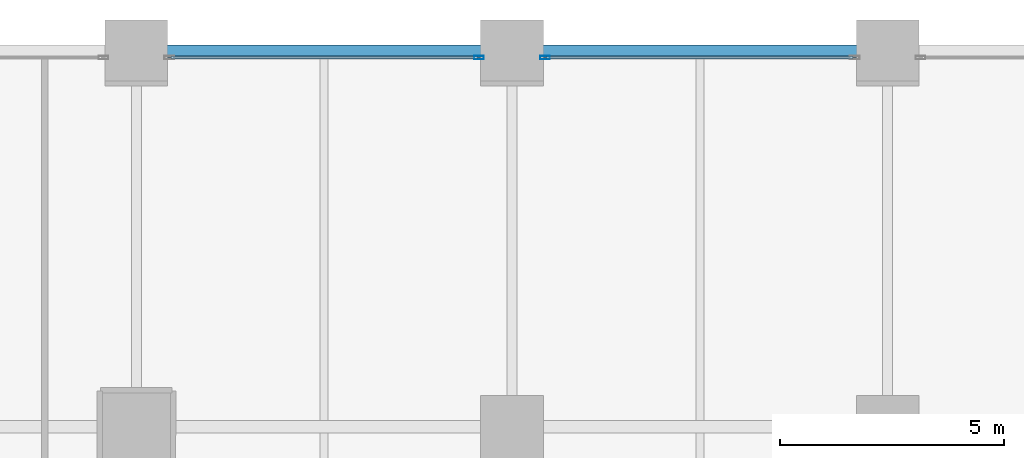
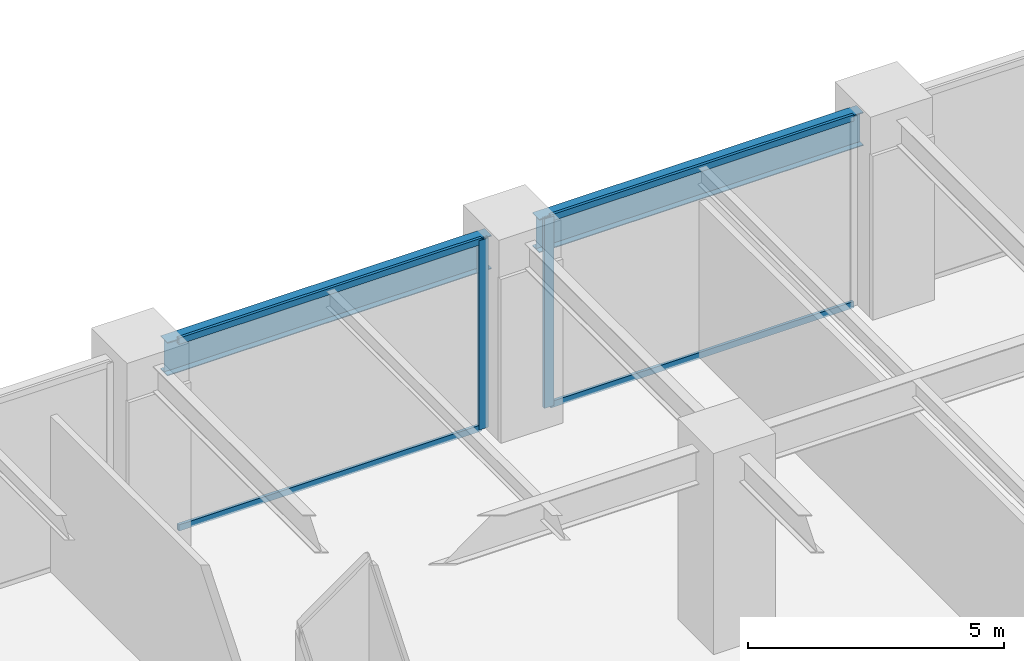
# One storey, part 13 of 24: 6 members, 2 beams, 2 elements without a shape of their own.
"""IFC4 building model written with IfcOpenShell, lengths in metres."""

from ifc_helpers import new_model, si_unit, direction, frame, origin, origin_2d, place, context, subcontext, project, spatial, hollow_rectangle, i_section, extrude, material, layer, layer_set, material_profile, profile_set, type_object, element, aggregate, save


model = new_model("IFC4")

# Units and contexts
model_context = context("Model", 3, precision=1e-05, world=origin(), true_north=direction((0.0, 1.0)))
body_context = subcontext(model_context, "Body", "Model", "MODEL_VIEW")
ifc_project = project(units=[si_unit("LENGTHUNIT", "METRE"), si_unit("AREAUNIT", "SQUARE_METRE"), si_unit("VOLUMEUNIT", "CUBIC_METRE"), si_unit("PLANEANGLEUNIT", "RADIAN"), si_unit("MASSUNIT", "GRAM", prefix="KILO")], contexts=[model_context])

# Site, building, storey
site_placement = place(None, origin())
site = spatial("IfcSite", under=ifc_project, at=site_placement, CompositionType="ELEMENT")
building_placement = place(site_placement, origin())
building = spatial("IfcBuilding", under=site, at=building_placement, Name="Nerrivon Quay Data Exchange", CompositionType="ELEMENT")
storey_placement = place(building_placement, frame((0.0, 0.0, 10.199951171875)))
storey = spatial("IfcBuildingStorey", under=building, at=storey_placement, Name="L02", CompositionType="ELEMENT", Elevation=10.199951171875)

# Beams
ifc_material_1 = material(Name="Steel Grade 350", Category="steel")
ifc_material_profile_1 = material_profile(ifc_material_1, i_section(OverallWidth=0.27490234375, OverallDepth=0.800048828125, WebThickness=0.010009765625, FlangeThickness=0.02001953125, at=origin_2d()), Name="800WB146")
ifc_profile_set_1 = profile_set([ifc_material_profile_1], Name="Steel Grade 350")
beam_type = type_object("IfcBeamType", Name="BM-G8-800WB146", PredefinedType="BEAM", material=ifc_profile_set_1)
beam_1_placement = place(storey_placement, frame((17.340087890625, 50.39990234375, 4.125), z_axis=(1.0, 0.0, 0.0), x_axis=(0.0, 1.0, 0.0)))
element("IfcBeam", 1, at=beam_1_placement, inside=storey, type_object=beam_type, Name="L02 EW Girder Y=50.4 (16.8..25.2)", PredefinedType="BEAM", context=body_context, shape_type="SweptSolid", body=[
    extrude(i_section(OverallWidth=0.27490234375, OverallDepth=0.800048828125, WebThickness=0.010009765625, FlangeThickness=0.02001953125, at=origin_2d()), origin(), (0.0, 0.0, 1.0), 7.31982421875),
])
beam_2_placement = place(storey_placement, frame((25.739990234375, 50.39990234375, 4.125), z_axis=(1.0, 0.0, 0.0), x_axis=(0.0, 1.0, 0.0)))
element("IfcBeam", 2, at=beam_2_placement, inside=storey, type_object=beam_type, Name="L02 EW Girder Y=50.4 (25.2..33.6)", PredefinedType="BEAM", context=body_context, shape_type="SweptSolid", body=[
    extrude(i_section(OverallWidth=0.27490234375, OverallDepth=0.800048828125, WebThickness=0.010009765625, FlangeThickness=0.02001953125, at=origin_2d()), origin(), (0.0, 0.0, 1.0), 7.320068359375),
])

# Curtain wall, member
ifc_material_2 = material(Name="Anodised aluminium 6063-T6", Category="aluminium")
ifc_layer = layer(ifc_material_2, 0.239990234375)
ifc_layer_set = layer_set([ifc_layer], Name="Anodised aluminium 6063-T6")
curtain_wall_type = type_object("IfcCurtainWallType", Name="CW-SYS-03", PredefinedType="NOTDEFINED", material=ifc_layer_set)
curtain_wall_1_placement = place(storey_placement, origin())
curtain_wall_1 = element("IfcCurtainWall", 3, at=curtain_wall_1_placement, inside=storey, type_object=curtain_wall_type, Name="L02 Unitised Curtain Wall 9", PredefinedType="NOTDEFINED")
ifc_material_profile_2 = material_profile(ifc_material_2, hollow_rectangle(XDim=0.074951171875, YDim=0.219970703125, WallThickness=0.00390625, at=origin_2d()), Name="ALU-MULL-220x75")
ifc_profile_set_2 = profile_set([ifc_material_profile_2], Name="Anodised aluminium 6063-T6")
member_type_1 = type_object("IfcMemberType", Name="CWM-220x75", PredefinedType="MULLION", material=ifc_profile_set_2)
member_1_placement = place(storey_placement, frame((24.46240234375, 50.260009765625, 0.0), z_axis=(0.0, 0.0, 1.0), x_axis=(0.0, 1.0, 0.0)))
member_1 = element("IfcMember", 4, at=member_1_placement, type_object=member_type_1, Name="CW03 mullion 2", PredefinedType="MULLION", context=body_context, shape_type="SweptSolid", body=[
    extrude(hollow_rectangle(XDim=0.074951171875, YDim=0.219970703125, WallThickness=0.00390625, at=origin_2d()), origin(), (0.0, 0.0, 1.0), 4.525146484375),
])

curtain_wall_2_placement = place(storey_placement, origin())
curtain_wall_2 = element("IfcCurtainWall", 5, at=curtain_wall_2_placement, inside=storey, type_object=curtain_wall_type, Name="L02 Unitised Curtain Wall 10", PredefinedType="NOTDEFINED")
member_2_placement = place(storey_placement, frame((25.9375, 50.260009765625, 0.0), z_axis=(0.0, 0.0, 1.0), x_axis=(0.0, 1.0, 0.0)))
member_2 = element("IfcMember", 6, at=member_2_placement, type_object=member_type_1, Name="CW03 mullion 1", PredefinedType="MULLION", context=body_context, shape_type="SweptSolid", body=[
    extrude(hollow_rectangle(XDim=0.074951171875, YDim=0.219970703125, WallThickness=0.00390625, at=origin_2d()), origin(), (0.0, 0.0, 1.0), 4.525146484375),
])

# Member
ifc_material_profile_3 = material_profile(ifc_material_2, hollow_rectangle(XDim=0.06494140625, YDim=0.14990234375, WallThickness=0.00341796875, at=origin_2d()), Name="ALU-TRAN-150x65")
ifc_profile_set_3 = profile_set([ifc_material_profile_3], Name="Anodised aluminium 6063-T6")
member_type_2 = type_object("IfcMemberType", Name="CWT-150x65", PredefinedType="USERDEFINED", material=ifc_profile_set_3)
member_3_placement = place(storey_placement, frame((17.574951171875, 50.260009765625, 0.032470703125), z_axis=(1.0, 0.0, 0.0), x_axis=(0.0, 1.0, 0.0)))
member_3 = element("IfcMember", 7, at=member_3_placement, type_object=member_type_2, Name="CW03 transom 1.1", ObjectType="TRANSOM", PredefinedType="USERDEFINED", context=body_context, shape_type="SweptSolid", body=[
    extrude(hollow_rectangle(XDim=0.06494140625, YDim=0.14990234375, WallThickness=0.00341796875, at=origin_2d()), origin(), (0.0, 0.0, 1.0), 6.85009765625),
])

member_4_placement = place(storey_placement, frame((17.574951171875, 50.260009765625, 4.492431640625), z_axis=(1.0, 0.0, 0.0), x_axis=(0.0, 1.0, 0.0)))
member_4 = element("IfcMember", 8, at=member_4_placement, type_object=member_type_2, Name="CW03 transom 1.2", ObjectType="TRANSOM", PredefinedType="USERDEFINED", context=body_context, shape_type="SweptSolid", body=[
    extrude(hollow_rectangle(XDim=0.06494140625, YDim=0.14990234375, WallThickness=0.00341796875, at=origin_2d()), origin(), (0.0, 0.0, 1.0), 6.85009765625),
])

aggregate(curtain_wall_1, [member_1, member_3, member_4])

member_5_placement = place(storey_placement, frame((25.97509765625, 50.260009765625, 0.032470703125), z_axis=(1.0, 0.0, 0.0), x_axis=(0.0, 1.0, 0.0)))
member_5 = element("IfcMember", 9, at=member_5_placement, type_object=member_type_2, Name="CW03 transom 1.1", ObjectType="TRANSOM", PredefinedType="USERDEFINED", context=body_context, shape_type="SweptSolid", body=[
    extrude(hollow_rectangle(XDim=0.06494140625, YDim=0.14990234375, WallThickness=0.00341796875, at=origin_2d()), origin(), (0.0, 0.0, 1.0), 6.849853515625),
])

member_6_placement = place(storey_placement, frame((25.97509765625, 50.260009765625, 4.492431640625), z_axis=(1.0, 0.0, 0.0), x_axis=(0.0, 1.0, 0.0)))
member_6 = element("IfcMember", 10, at=member_6_placement, type_object=member_type_2, Name="CW03 transom 1.2", ObjectType="TRANSOM", PredefinedType="USERDEFINED", context=body_context, shape_type="SweptSolid", body=[
    extrude(hollow_rectangle(XDim=0.06494140625, YDim=0.14990234375, WallThickness=0.00341796875, at=origin_2d()), origin(), (0.0, 0.0, 1.0), 6.849853515625),
])

aggregate(curtain_wall_2, [member_2, member_5, member_6])

save(model, "model.ifc")
